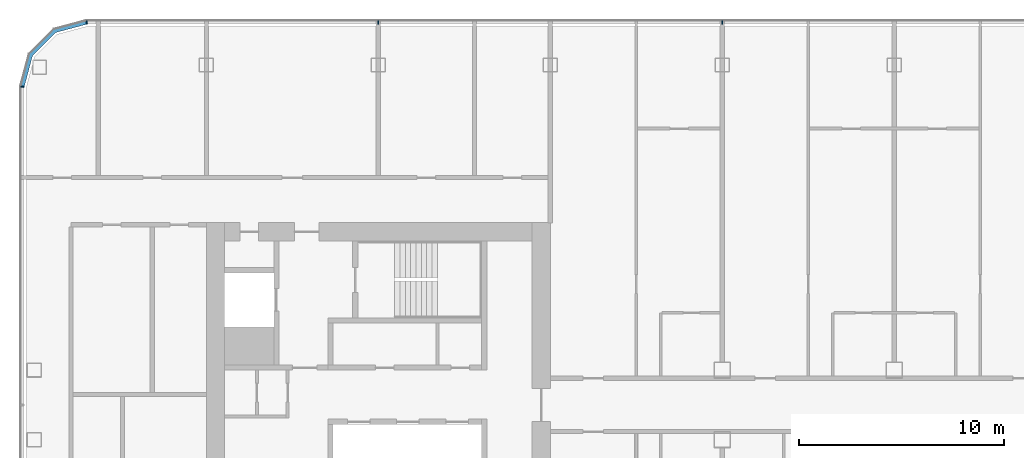
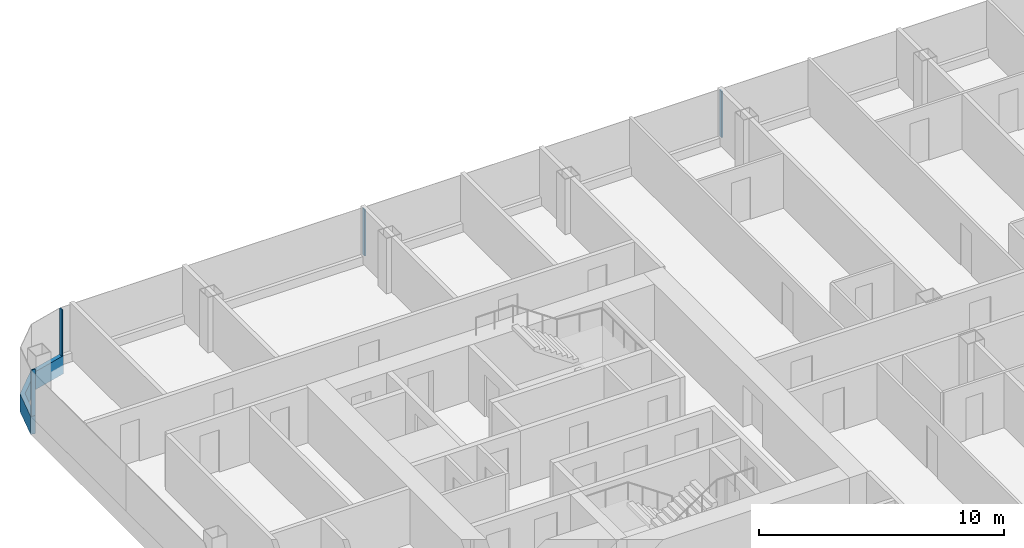
# One storey, part 6 of 26: 5 members, 3 elements without a shape of their own.
"""IFC4 building model written with IfcOpenShell, lengths in metres."""

from ifc_helpers import new_model, si_unit, direction, frame, origin, origin_2d, place, context, subcontext, project, spatial, polyline, rectangle, outline, extrude, material, layer, layer_set, material_profile, profile_set, type_object, element, aggregate, save


model = new_model("IFC4")

# Units and contexts
model_context = context("Model", 3, precision=1e-05, world=origin(), true_north=direction((0.0, 1.0)))
body_context = subcontext(model_context, "Body", "Model", "MODEL_VIEW")
ifc_project = project(units=[si_unit("LENGTHUNIT", "METRE"), si_unit("AREAUNIT", "SQUARE_METRE"), si_unit("VOLUMEUNIT", "CUBIC_METRE"), si_unit("PLANEANGLEUNIT", "RADIAN"), si_unit("MASSUNIT", "GRAM", prefix="KILO")], contexts=[model_context])

# Site, building, storey
site_placement = place(None, origin())
site = spatial("IfcSite", under=ifc_project, at=site_placement, CompositionType="ELEMENT")
building_placement = place(site_placement, origin())
building = spatial("IfcBuilding", under=site, at=building_placement, Name="Hakoniwa Tower and Hamabe Station Hall", CompositionType="ELEMENT")
storey_placement = place(building_placement, frame((0.0, 0.0, 159.800048828125)))
storey = spatial("IfcBuildingStorey", under=building, at=storey_placement, Name="L45", CompositionType="ELEMENT", Elevation=159.800048828125)

# Curtain wall, member
ifc_material_1 = material(Name="Dark low-e laminated glass", Category="glass")
ifc_layer = layer(ifc_material_1, 0.199951171875)
ifc_layer_set = layer_set([ifc_layer], Name="CW-1 UNITISED GUEST")
curtain_wall_type = type_object("IfcCurtainWallType", Name="CW-1 UNITISED GUEST", PredefinedType="NOTDEFINED", material=ifc_layer_set)
curtain_wall_1_placement = place(storey_placement, origin())
curtain_wall_1 = element("IfcCurtainWall", 1, at=curtain_wall_1_placement, inside=storey, type_object=curtain_wall_type, Name="CW-1 curtain wall", PredefinedType="NOTDEFINED")
ifc_material_2 = material(Name="Aluminium 6063-T5 black anodised", Category="aluminium")
ifc_material_profile_1 = material_profile(ifc_material_2, rectangle(XDim=0.199951171875, YDim=0.89990234375, at=origin_2d()), Name="CW SLAB-EDGE BAND 900X200")
ifc_profile_set_1 = profile_set([ifc_material_profile_1], Name="Aluminium 6063-T5 black anodised")
member_type_1 = type_object("IfcMemberType", Name="CW SLAB-EDGE BAND 900X200", PredefinedType="USERDEFINED", material=ifc_profile_set_1)
member_1_placement = place(storey_placement, frame((0.0, 0.0, -0.550048828125)))
member_1 = element("IfcMember", 2, at=member_1_placement, type_object=member_type_1, Name="CW-1 transom", ObjectType="TRANSOM", PredefinedType="USERDEFINED", context=body_context, shape_type="SweptSolid", body=[
    extrude(outline(polyline([(-39.439453125, 18.300048828125), (-41.05517578125, 17.866943359375), (-42.26708984375, 16.6552734375), (-42.699951171875, 15.03955078125), (-42.5068359375, 14.98779296875), (-42.087646484375, 16.5517578125), (-40.95166015625, 17.687744140625), (-39.3876953125, 18.10693359375), (-39.439453125, 18.300048828125)])), origin(), (0.0, 0.0, 1.0), 0.89990234375),
])
aggregate(curtain_wall_1, [member_1])

# Curtain wall, members
curtain_wall_2_placement = place(storey_placement, origin())
curtain_wall_2 = element("IfcCurtainWall", 3, at=curtain_wall_2_placement, inside=storey, type_object=curtain_wall_type, Name="CW-1 curtain wall", PredefinedType="NOTDEFINED")
ifc_material_3 = material(Name="Aluminium 6063-T5 black anodised", Category="aluminium")
ifc_material_profile_2 = material_profile(ifc_material_3, rectangle(XDim=0.06005859375, YDim=0.179931640625, at=origin_2d()), Name="CW-1 MULLION 60X180")
ifc_profile_set_2 = profile_set([ifc_material_profile_2], Name="Aluminium 6063-T5 black anodised")
member_type_2 = type_object("IfcMemberType", Name="CW-1 MULLION 60X180", PredefinedType="MULLION", material=ifc_profile_set_2)
member_2_placement = place(storey_placement, frame((-8.39990234375, 18.181884765625, 0.349853515625), z_axis=(0.0, 0.0, 1.0), x_axis=(-1.0, 0.0, 0.0)))
member_2 = element("IfcMember", 4, at=member_2_placement, type_object=member_type_2, Name="CW-1 mullion", PredefinedType="MULLION", context=body_context, shape_type="SweptSolid", body=[
    extrude(rectangle(XDim=0.06005859375, YDim=0.179931640625, at=origin_2d()), origin(), (0.0, 0.0, 1.0), 2.300048828125),
])
member_3_placement = place(storey_placement, frame((-25.199951171875, 18.181884765625, 0.349853515625), z_axis=(0.0, 0.0, 1.0), x_axis=(-1.0, 0.0, 0.0)))
member_3 = element("IfcMember", 5, at=member_3_placement, type_object=member_type_2, Name="CW-1 mullion", PredefinedType="MULLION", context=body_context, shape_type="SweptSolid", body=[
    extrude(rectangle(XDim=0.06005859375, YDim=0.179931640625, at=origin_2d()), origin(), (0.0, 0.0, 1.0), 2.300048828125),
])
member_4_placement = place(storey_placement, frame((-39.439453125, 18.181884765625, 0.349853515625), z_axis=(0.0, 0.0, 1.0), x_axis=(-1.0, 0.0, 0.0)))
member_4 = element("IfcMember", 6, at=member_4_placement, type_object=member_type_2, Name="CW-1 mullion", PredefinedType="MULLION", context=body_context, shape_type="SweptSolid", body=[
    extrude(rectangle(XDim=0.06005859375, YDim=0.179931640625, at=origin_2d()), origin(), (0.0, 0.0, 1.0), 2.300048828125),
])
aggregate(curtain_wall_2, [member_2, member_3, member_4])

# Curtain wall, member
curtain_wall_3_placement = place(storey_placement, origin())
curtain_wall_3 = element("IfcCurtainWall", 7, at=curtain_wall_3_placement, inside=storey, type_object=curtain_wall_type, Name="CW-1 curtain wall", PredefinedType="NOTDEFINED")
member_5_placement = place(storey_placement, frame((-42.58203125, 15.03955078125, 0.349853515625), z_axis=(0.0, 0.0, 1.0), x_axis=(0.0, -1.0, 0.0)))
member_5 = element("IfcMember", 8, at=member_5_placement, type_object=member_type_2, Name="CW-1 mullion", PredefinedType="MULLION", context=body_context, shape_type="SweptSolid", body=[
    extrude(rectangle(XDim=0.06005859375, YDim=0.179931640625, at=origin_2d()), origin(), (0.0, 0.0, 1.0), 2.300048828125),
])
aggregate(curtain_wall_3, [member_5])

save(model, "model.ifc")
